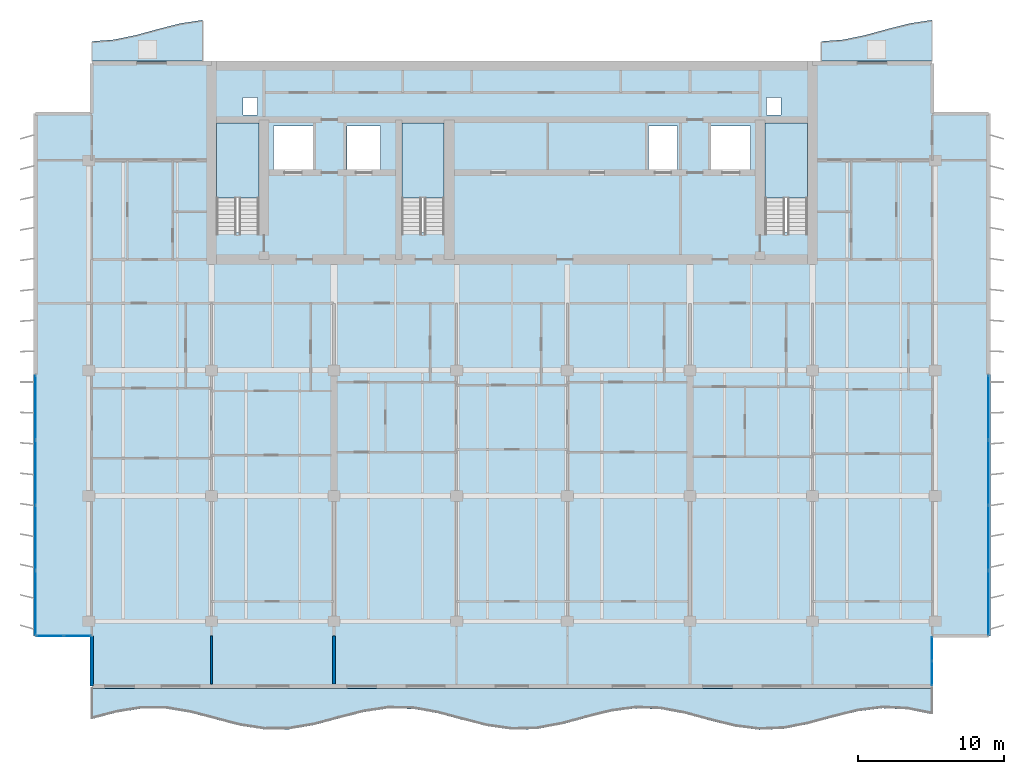
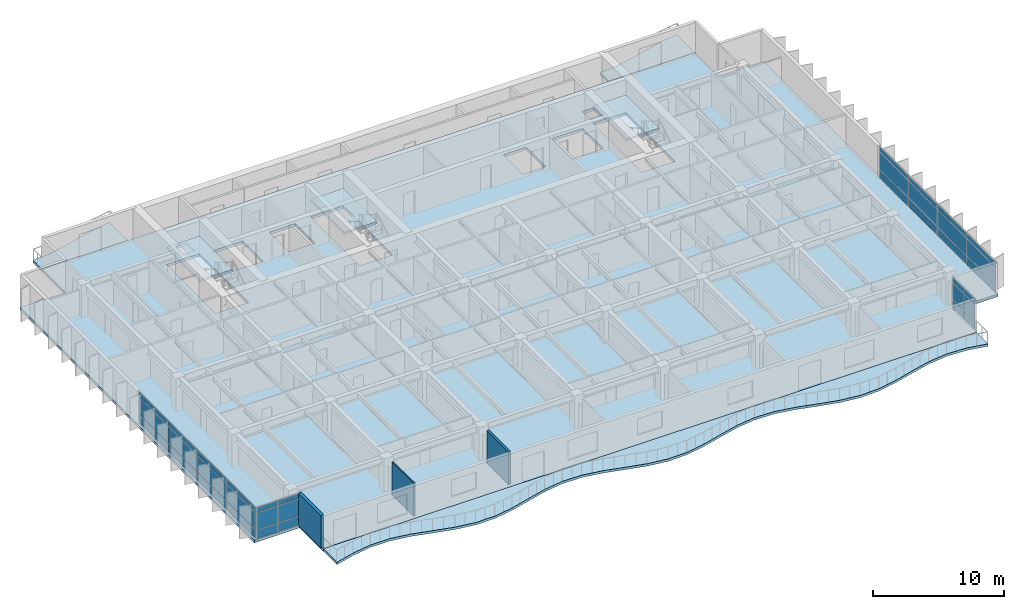
# One storey, part 7 of 17: 36 plates, 7 slabs, 3 walls, 7 elements without a shape of their own.
"""IFC4 building model written with IfcOpenShell, lengths in metres."""

from ifc_helpers import new_model, si_unit, direction, frame, frame_2d, origin, origin_2d, place, context, subcontext, project, spatial, polyline, rectangle, outline, extrude, material, layer, layer_set, type_object, element, aggregate, save


model = new_model("IFC4")

# Units and contexts
model_context = context("Model", 3, precision=1e-05, world=origin(), true_north=direction((0.0, 1.0)))
body_context = subcontext(model_context, "Body", "Model", "MODEL_VIEW")
ifc_project = project(units=[si_unit("LENGTHUNIT", "METRE"), si_unit("AREAUNIT", "SQUARE_METRE"), si_unit("VOLUMEUNIT", "CUBIC_METRE"), si_unit("PLANEANGLEUNIT", "RADIAN"), si_unit("MASSUNIT", "GRAM", prefix="KILO")], contexts=[model_context])

# Site, building, storey
site_placement = place(None, origin())
site = spatial("IfcSite", under=ifc_project, at=site_placement, CompositionType="ELEMENT")
building_placement = place(site_placement, origin())
building = spatial("IfcBuilding", under=site, at=building_placement, Name="Caelmar Bay Residences", CompositionType="ELEMENT")
storey_placement = place(building_placement, frame((0.0, 0.0, 208.199951171875)))
storey = spatial("IfcBuildingStorey", under=building, at=storey_placement, Name="L58", CompositionType="ELEMENT", Elevation=208.199951171875)

# Curtain wall, plates
ifc_material_1 = material(Name="Anodised bronze aluminium 6063-T6 and laminated glass", Category="aluminium")
ifc_layer_1 = layer(ifc_material_1, 0.179931640625)
ifc_layer_set_1 = layer_set([ifc_layer_1], Name="Anodised bronze aluminium 6063-T6 and laminated glass")
curtain_wall_type_1 = type_object("IfcCurtainWallType", Name="CW6-NTC", PredefinedType="NOTDEFINED", material=ifc_layer_set_1)
curtain_wall_1_placement = place(storey_placement, origin())
curtain_wall_1 = element("IfcCurtainWall", 1, at=curtain_wall_1_placement, inside=storey, type_object=curtain_wall_type_1, Name="CW6 curtain wall L58", PredefinedType="NOTDEFINED")
ifc_material_2 = material(Name="Bronze-tinted laminated low-E hurricane glass 28 mm", Category="glass")
ifc_layer_2 = layer(ifc_material_2, 0.028076171875)
ifc_layer_set_2 = layer_set([ifc_layer_2], Name="Bronze-tinted laminated low-E hurricane glass 28 mm")
plate_type = type_object("IfcPlateType", Name="CWP-GLZ28", PredefinedType="CURTAIN_PANEL", material=ifc_layer_set_2)
plate_1_placement = place(storey_placement, frame((7.232421875, 11.199951171875, 0.080078125), z_axis=(0.0, 0.0, 1.0), x_axis=(1.0, 0.0, 0.0)))
plate_1 = element("IfcPlate", 2, at=plate_1_placement, type_object=plate_type, Name="CW6 panel 1.1", PredefinedType="CURTAIN_PANEL", context=body_context, shape_type="SweptSolid", body=[
    extrude(rectangle(XDim=1.804931640625, YDim=0.028076171875, at=origin_2d()), origin(), (0.0, 0.0, 1.0), 0.780029296875),
])
plate_2_placement = place(storey_placement, frame((7.232421875, 11.199951171875, 0.93994140625), z_axis=(0.0, 0.0, 1.0), x_axis=(1.0, 0.0, 0.0)))
plate_2 = element("IfcPlate", 3, at=plate_2_placement, type_object=plate_type, Name="CW6 panel 1.2", PredefinedType="CURTAIN_PANEL", context=body_context, shape_type="SweptSolid", body=[
    extrude(rectangle(XDim=1.804931640625, YDim=0.028076171875, at=origin_2d()), origin(), (0.0, 0.0, 1.0), 1.52001953125),
])
plate_3_placement = place(storey_placement, frame((7.232421875, 11.199951171875, 2.5400390625), z_axis=(0.0, 0.0, 1.0), x_axis=(1.0, 0.0, 0.0)))
plate_3 = element("IfcPlate", 4, at=plate_3_placement, type_object=plate_type, Name="CW6 panel 1.3", PredefinedType="CURTAIN_PANEL", context=body_context, shape_type="SweptSolid", body=[
    extrude(rectangle(XDim=1.804931640625, YDim=0.028076171875, at=origin_2d()), origin(), (0.0, 0.0, 1.0), 0.429931640625),
])
plate_4_placement = place(storey_placement, frame((9.117431640625, 11.199951171875, 0.080078125), z_axis=(0.0, 0.0, 1.0), x_axis=(1.0, 0.0, 0.0)))
plate_4 = element("IfcPlate", 5, at=plate_4_placement, type_object=plate_type, Name="CW6 panel 2.1", PredefinedType="CURTAIN_PANEL", context=body_context, shape_type="SweptSolid", body=[
    extrude(rectangle(XDim=1.804931640625, YDim=0.028076171875, at=origin_2d()), origin(), (0.0, 0.0, 1.0), 0.780029296875),
])
plate_5_placement = place(storey_placement, frame((9.117431640625, 11.199951171875, 0.93994140625), z_axis=(0.0, 0.0, 1.0), x_axis=(1.0, 0.0, 0.0)))
plate_5 = element("IfcPlate", 6, at=plate_5_placement, type_object=plate_type, Name="CW6 panel 2.2", PredefinedType="CURTAIN_PANEL", context=body_context, shape_type="SweptSolid", body=[
    extrude(rectangle(XDim=1.804931640625, YDim=0.028076171875, at=origin_2d()), origin(), (0.0, 0.0, 1.0), 1.52001953125),
])
plate_6_placement = place(storey_placement, frame((9.117431640625, 11.199951171875, 2.5400390625), z_axis=(0.0, 0.0, 1.0), x_axis=(1.0, 0.0, 0.0)))
plate_6 = element("IfcPlate", 7, at=plate_6_placement, type_object=plate_type, Name="CW6 panel 2.3", PredefinedType="CURTAIN_PANEL", context=body_context, shape_type="SweptSolid", body=[
    extrude(rectangle(XDim=1.804931640625, YDim=0.028076171875, at=origin_2d()), origin(), (0.0, 0.0, 1.0), 0.429931640625),
])
aggregate(curtain_wall_1, [plate_1, plate_2, plate_3, plate_4, plate_5, plate_6])

curtain_wall_2_placement = place(storey_placement, origin())
curtain_wall_2 = element("IfcCurtainWall", 8, at=curtain_wall_2_placement, inside=storey, type_object=curtain_wall_type_1, Name="CW6 curtain wall L58", PredefinedType="NOTDEFINED")
plate_7_placement = place(storey_placement, frame((67.699951171875, 8.632568359375, 0.080078125), z_axis=(0.0, 0.0, 1.0), x_axis=(0.0, 1.0, 0.0)))
plate_7 = element("IfcPlate", 9, at=plate_7_placement, type_object=plate_type, Name="CW6 panel 1.1", PredefinedType="CURTAIN_PANEL", context=body_context, shape_type="SweptSolid", body=[
    extrude(rectangle(XDim=1.60498046875, YDim=0.028076171875, at=origin_2d()), origin(), (0.0, 0.0, 1.0), 0.780029296875),
])
plate_8_placement = place(storey_placement, frame((67.699951171875, 8.632568359375, 0.93994140625), z_axis=(0.0, 0.0, 1.0), x_axis=(0.0, 1.0, 0.0)))
plate_8 = element("IfcPlate", 10, at=plate_8_placement, type_object=plate_type, Name="CW6 panel 1.2", PredefinedType="CURTAIN_PANEL", context=body_context, shape_type="SweptSolid", body=[
    extrude(rectangle(XDim=1.60498046875, YDim=0.028076171875, at=origin_2d()), origin(), (0.0, 0.0, 1.0), 1.52001953125),
])
plate_9_placement = place(storey_placement, frame((67.699951171875, 8.632568359375, 2.5400390625), z_axis=(0.0, 0.0, 1.0), x_axis=(0.0, 1.0, 0.0)))
plate_9 = element("IfcPlate", 11, at=plate_9_placement, type_object=plate_type, Name="CW6 panel 1.3", PredefinedType="CURTAIN_PANEL", context=body_context, shape_type="SweptSolid", body=[
    extrude(rectangle(XDim=1.60498046875, YDim=0.028076171875, at=origin_2d()), origin(), (0.0, 0.0, 1.0), 0.429931640625),
])
plate_10_placement = place(storey_placement, frame((67.699951171875, 10.3173828125, 0.080078125), z_axis=(0.0, 0.0, 1.0), x_axis=(0.0, 1.0, 0.0)))
plate_10 = element("IfcPlate", 12, at=plate_10_placement, type_object=plate_type, Name="CW6 panel 2.1", PredefinedType="CURTAIN_PANEL", context=body_context, shape_type="SweptSolid", body=[
    extrude(rectangle(XDim=1.60498046875, YDim=0.028076171875, at=origin_2d()), origin(), (0.0, 0.0, 1.0), 0.780029296875),
])
plate_11_placement = place(storey_placement, frame((67.699951171875, 10.3173828125, 0.93994140625), z_axis=(0.0, 0.0, 1.0), x_axis=(0.0, 1.0, 0.0)))
plate_11 = element("IfcPlate", 13, at=plate_11_placement, type_object=plate_type, Name="CW6 panel 2.2", PredefinedType="CURTAIN_PANEL", context=body_context, shape_type="SweptSolid", body=[
    extrude(rectangle(XDim=1.60498046875, YDim=0.028076171875, at=origin_2d()), origin(), (0.0, 0.0, 1.0), 1.52001953125),
])
plate_12_placement = place(storey_placement, frame((67.699951171875, 10.3173828125, 2.5400390625), z_axis=(0.0, 0.0, 1.0), x_axis=(0.0, 1.0, 0.0)))
plate_12 = element("IfcPlate", 14, at=plate_12_placement, type_object=plate_type, Name="CW6 panel 2.3", PredefinedType="CURTAIN_PANEL", context=body_context, shape_type="SweptSolid", body=[
    extrude(rectangle(XDim=1.60498046875, YDim=0.028076171875, at=origin_2d()), origin(), (0.0, 0.0, 1.0), 0.429931640625),
])
aggregate(curtain_wall_2, [plate_7, plate_8, plate_9, plate_10, plate_11, plate_12])

ifc_layer_3 = layer(ifc_material_1, 0.179931640625)
ifc_layer_set_3 = layer_set([ifc_layer_3], Name="Anodised bronze aluminium 6063-T6 and laminated glass")
curtain_wall_type_2 = type_object("IfcCurtainWallType", Name="CW4-Z3", PredefinedType="NOTDEFINED", material=ifc_layer_set_3)
curtain_wall_3_placement = place(storey_placement, origin())
curtain_wall_3 = element("IfcCurtainWall", 15, at=curtain_wall_3_placement, inside=storey, type_object=curtain_wall_type_2, Name="CW4 curtain wall L58", PredefinedType="NOTDEFINED")
plate_13_placement = place(storey_placement, frame((6.25, 13.45751953125, 0.080078125), z_axis=(0.0, 0.0, 1.0), x_axis=(0.0, 1.0, 0.0)))
plate_13 = element("IfcPlate", 16, at=plate_13_placement, type_object=plate_type, Name="CW4 panel 1.1", PredefinedType="CURTAIN_PANEL", context=body_context, shape_type="SweptSolid", body=[
    extrude(rectangle(XDim=4.35498046875, YDim=0.028076171875, at=origin_2d()), origin(), (0.0, 0.0, 1.0), 0.780029296875),
])
plate_14_placement = place(storey_placement, frame((6.25, 13.45751953125, 0.93994140625), z_axis=(0.0, 0.0, 1.0), x_axis=(0.0, 1.0, 0.0)))
plate_14 = element("IfcPlate", 17, at=plate_14_placement, type_object=plate_type, Name="CW4 panel 1.2", PredefinedType="CURTAIN_PANEL", context=body_context, shape_type="SweptSolid", body=[
    extrude(rectangle(XDim=4.35498046875, YDim=0.028076171875, at=origin_2d()), origin(), (0.0, 0.0, 1.0), 1.52001953125),
])
plate_15_placement = place(storey_placement, frame((6.25, 13.45751953125, 2.5400390625), z_axis=(0.0, 0.0, 1.0), x_axis=(0.0, 1.0, 0.0)))
plate_15 = element("IfcPlate", 18, at=plate_15_placement, type_object=plate_type, Name="CW4 panel 1.3", PredefinedType="CURTAIN_PANEL", context=body_context, shape_type="SweptSolid", body=[
    extrude(rectangle(XDim=4.35498046875, YDim=0.028076171875, at=origin_2d()), origin(), (0.0, 0.0, 1.0), 0.429931640625),
])
plate_16_placement = place(storey_placement, frame((6.25, 17.91259765625, 0.080078125), z_axis=(0.0, 0.0, 1.0), x_axis=(0.0, 1.0, 0.0)))
plate_16 = element("IfcPlate", 19, at=plate_16_placement, type_object=plate_type, Name="CW4 panel 2.1", PredefinedType="CURTAIN_PANEL", context=body_context, shape_type="SweptSolid", body=[
    extrude(rectangle(XDim=4.39501953125, YDim=0.028076171875, at=origin_2d()), origin(), (0.0, 0.0, 1.0), 0.780029296875),
])
plate_17_placement = place(storey_placement, frame((6.25, 17.91259765625, 0.93994140625), z_axis=(0.0, 0.0, 1.0), x_axis=(0.0, 1.0, 0.0)))
plate_17 = element("IfcPlate", 20, at=plate_17_placement, type_object=plate_type, Name="CW4 panel 2.2", PredefinedType="CURTAIN_PANEL", context=body_context, shape_type="SweptSolid", body=[
    extrude(rectangle(XDim=4.39501953125, YDim=0.028076171875, at=origin_2d()), origin(), (0.0, 0.0, 1.0), 1.52001953125),
])
plate_18_placement = place(storey_placement, frame((6.25, 17.91259765625, 2.5400390625), z_axis=(0.0, 0.0, 1.0), x_axis=(0.0, 1.0, 0.0)))
plate_18 = element("IfcPlate", 21, at=plate_18_placement, type_object=plate_type, Name="CW4 panel 2.3", PredefinedType="CURTAIN_PANEL", context=body_context, shape_type="SweptSolid", body=[
    extrude(rectangle(XDim=4.39501953125, YDim=0.028076171875, at=origin_2d()), origin(), (0.0, 0.0, 1.0), 0.429931640625),
])
plate_19_placement = place(storey_placement, frame((6.25, 22.387451171875, 0.080078125), z_axis=(0.0, 0.0, 1.0), x_axis=(0.0, 1.0, 0.0)))
plate_19 = element("IfcPlate", 22, at=plate_19_placement, type_object=plate_type, Name="CW4 panel 3.1", PredefinedType="CURTAIN_PANEL", context=body_context, shape_type="SweptSolid", body=[
    extrude(rectangle(XDim=4.39501953125, YDim=0.028076171875, at=origin_2d()), origin(), (0.0, 0.0, 1.0), 0.780029296875),
])
plate_20_placement = place(storey_placement, frame((6.25, 22.387451171875, 0.93994140625), z_axis=(0.0, 0.0, 1.0), x_axis=(0.0, 1.0, 0.0)))
plate_20 = element("IfcPlate", 23, at=plate_20_placement, type_object=plate_type, Name="CW4 panel 3.2", PredefinedType="CURTAIN_PANEL", context=body_context, shape_type="SweptSolid", body=[
    extrude(rectangle(XDim=4.39501953125, YDim=0.028076171875, at=origin_2d()), origin(), (0.0, 0.0, 1.0), 1.52001953125),
])
plate_21_placement = place(storey_placement, frame((6.25, 22.387451171875, 2.5400390625), z_axis=(0.0, 0.0, 1.0), x_axis=(0.0, 1.0, 0.0)))
plate_21 = element("IfcPlate", 24, at=plate_21_placement, type_object=plate_type, Name="CW4 panel 3.3", PredefinedType="CURTAIN_PANEL", context=body_context, shape_type="SweptSolid", body=[
    extrude(rectangle(XDim=4.39501953125, YDim=0.028076171875, at=origin_2d()), origin(), (0.0, 0.0, 1.0), 0.429931640625),
])
plate_22_placement = place(storey_placement, frame((6.25, 26.842529296875, 0.080078125), z_axis=(0.0, 0.0, 1.0), x_axis=(0.0, 1.0, 0.0)))
plate_22 = element("IfcPlate", 25, at=plate_22_placement, type_object=plate_type, Name="CW4 panel 4.1", PredefinedType="CURTAIN_PANEL", context=body_context, shape_type="SweptSolid", body=[
    extrude(rectangle(XDim=4.35498046875, YDim=0.028076171875, at=origin_2d()), origin(), (0.0, 0.0, 1.0), 0.780029296875),
])
plate_23_placement = place(storey_placement, frame((6.25, 26.842529296875, 0.93994140625), z_axis=(0.0, 0.0, 1.0), x_axis=(0.0, 1.0, 0.0)))
plate_23 = element("IfcPlate", 26, at=plate_23_placement, type_object=plate_type, Name="CW4 panel 4.2", PredefinedType="CURTAIN_PANEL", context=body_context, shape_type="SweptSolid", body=[
    extrude(rectangle(XDim=4.35498046875, YDim=0.028076171875, at=origin_2d()), origin(), (0.0, 0.0, 1.0), 1.52001953125),
])
plate_24_placement = place(storey_placement, frame((6.25, 26.842529296875, 2.5400390625), z_axis=(0.0, 0.0, 1.0), x_axis=(0.0, 1.0, 0.0)))
plate_24 = element("IfcPlate", 27, at=plate_24_placement, type_object=plate_type, Name="CW4 panel 4.3", PredefinedType="CURTAIN_PANEL", context=body_context, shape_type="SweptSolid", body=[
    extrude(rectangle(XDim=4.35498046875, YDim=0.028076171875, at=origin_2d()), origin(), (0.0, 0.0, 1.0), 0.429931640625),
])
aggregate(curtain_wall_3, [plate_13, plate_14, plate_15, plate_16, plate_17, plate_18, plate_19, plate_20, plate_21, plate_22, plate_23, plate_24])

curtain_wall_4_placement = place(storey_placement, origin())
curtain_wall_4 = element("IfcCurtainWall", 28, at=curtain_wall_4_placement, inside=storey, type_object=curtain_wall_type_2, Name="CW4 curtain wall L58", PredefinedType="NOTDEFINED")
plate_25_placement = place(storey_placement, frame((71.550048828125, 26.842529296875, 0.080078125), z_axis=(0.0, 0.0, 1.0), x_axis=(0.0, -1.0, 0.0)))
plate_25 = element("IfcPlate", 29, at=plate_25_placement, type_object=plate_type, Name="CW4 panel 1.1", PredefinedType="CURTAIN_PANEL", context=body_context, shape_type="SweptSolid", body=[
    extrude(rectangle(XDim=4.35498046875, YDim=0.028076171875, at=origin_2d()), origin(), (0.0, 0.0, 1.0), 0.780029296875),
])
plate_26_placement = place(storey_placement, frame((71.550048828125, 26.842529296875, 0.93994140625), z_axis=(0.0, 0.0, 1.0), x_axis=(0.0, -1.0, 0.0)))
plate_26 = element("IfcPlate", 30, at=plate_26_placement, type_object=plate_type, Name="CW4 panel 1.2", PredefinedType="CURTAIN_PANEL", context=body_context, shape_type="SweptSolid", body=[
    extrude(rectangle(XDim=4.35498046875, YDim=0.028076171875, at=origin_2d()), origin(), (0.0, 0.0, 1.0), 1.52001953125),
])
plate_27_placement = place(storey_placement, frame((71.550048828125, 26.842529296875, 2.5400390625), z_axis=(0.0, 0.0, 1.0), x_axis=(0.0, -1.0, 0.0)))
plate_27 = element("IfcPlate", 31, at=plate_27_placement, type_object=plate_type, Name="CW4 panel 1.3", PredefinedType="CURTAIN_PANEL", context=body_context, shape_type="SweptSolid", body=[
    extrude(rectangle(XDim=4.35498046875, YDim=0.028076171875, at=origin_2d()), origin(), (0.0, 0.0, 1.0), 0.429931640625),
])
plate_28_placement = place(storey_placement, frame((71.550048828125, 22.387451171875, 0.080078125), z_axis=(0.0, 0.0, 1.0), x_axis=(0.0, -1.0, 0.0)))
plate_28 = element("IfcPlate", 32, at=plate_28_placement, type_object=plate_type, Name="CW4 panel 2.1", PredefinedType="CURTAIN_PANEL", context=body_context, shape_type="SweptSolid", body=[
    extrude(rectangle(XDim=4.39501953125, YDim=0.028076171875, at=origin_2d()), origin(), (0.0, 0.0, 1.0), 0.780029296875),
])
plate_29_placement = place(storey_placement, frame((71.550048828125, 22.387451171875, 0.93994140625), z_axis=(0.0, 0.0, 1.0), x_axis=(0.0, -1.0, 0.0)))
plate_29 = element("IfcPlate", 33, at=plate_29_placement, type_object=plate_type, Name="CW4 panel 2.2", PredefinedType="CURTAIN_PANEL", context=body_context, shape_type="SweptSolid", body=[
    extrude(rectangle(XDim=4.39501953125, YDim=0.028076171875, at=origin_2d()), origin(), (0.0, 0.0, 1.0), 1.52001953125),
])
plate_30_placement = place(storey_placement, frame((71.550048828125, 22.387451171875, 2.5400390625), z_axis=(0.0, 0.0, 1.0), x_axis=(0.0, -1.0, 0.0)))
plate_30 = element("IfcPlate", 34, at=plate_30_placement, type_object=plate_type, Name="CW4 panel 2.3", PredefinedType="CURTAIN_PANEL", context=body_context, shape_type="SweptSolid", body=[
    extrude(rectangle(XDim=4.39501953125, YDim=0.028076171875, at=origin_2d()), origin(), (0.0, 0.0, 1.0), 0.429931640625),
])
plate_31_placement = place(storey_placement, frame((71.550048828125, 17.91259765625, 0.080078125), z_axis=(0.0, 0.0, 1.0), x_axis=(0.0, -1.0, 0.0)))
plate_31 = element("IfcPlate", 35, at=plate_31_placement, type_object=plate_type, Name="CW4 panel 3.1", PredefinedType="CURTAIN_PANEL", context=body_context, shape_type="SweptSolid", body=[
    extrude(rectangle(XDim=4.39501953125, YDim=0.028076171875, at=origin_2d()), origin(), (0.0, 0.0, 1.0), 0.780029296875),
])
plate_32_placement = place(storey_placement, frame((71.550048828125, 17.91259765625, 0.93994140625), z_axis=(0.0, 0.0, 1.0), x_axis=(0.0, -1.0, 0.0)))
plate_32 = element("IfcPlate", 36, at=plate_32_placement, type_object=plate_type, Name="CW4 panel 3.2", PredefinedType="CURTAIN_PANEL", context=body_context, shape_type="SweptSolid", body=[
    extrude(rectangle(XDim=4.39501953125, YDim=0.028076171875, at=origin_2d()), origin(), (0.0, 0.0, 1.0), 1.52001953125),
])
plate_33_placement = place(storey_placement, frame((71.550048828125, 17.91259765625, 2.5400390625), z_axis=(0.0, 0.0, 1.0), x_axis=(0.0, -1.0, 0.0)))
plate_33 = element("IfcPlate", 37, at=plate_33_placement, type_object=plate_type, Name="CW4 panel 3.3", PredefinedType="CURTAIN_PANEL", context=body_context, shape_type="SweptSolid", body=[
    extrude(rectangle(XDim=4.39501953125, YDim=0.028076171875, at=origin_2d()), origin(), (0.0, 0.0, 1.0), 0.429931640625),
])
plate_34_placement = place(storey_placement, frame((71.550048828125, 13.45751953125, 0.080078125), z_axis=(0.0, 0.0, 1.0), x_axis=(0.0, -1.0, 0.0)))
plate_34 = element("IfcPlate", 38, at=plate_34_placement, type_object=plate_type, Name="CW4 panel 4.1", PredefinedType="CURTAIN_PANEL", context=body_context, shape_type="SweptSolid", body=[
    extrude(rectangle(XDim=4.35498046875, YDim=0.028076171875, at=origin_2d()), origin(), (0.0, 0.0, 1.0), 0.780029296875),
])
plate_35_placement = place(storey_placement, frame((71.550048828125, 13.45751953125, 0.93994140625), z_axis=(0.0, 0.0, 1.0), x_axis=(0.0, -1.0, 0.0)))
plate_35 = element("IfcPlate", 39, at=plate_35_placement, type_object=plate_type, Name="CW4 panel 4.2", PredefinedType="CURTAIN_PANEL", context=body_context, shape_type="SweptSolid", body=[
    extrude(rectangle(XDim=4.35498046875, YDim=0.028076171875, at=origin_2d()), origin(), (0.0, 0.0, 1.0), 1.52001953125),
])
plate_36_placement = place(storey_placement, frame((71.550048828125, 13.45751953125, 2.5400390625), z_axis=(0.0, 0.0, 1.0), x_axis=(0.0, -1.0, 0.0)))
plate_36 = element("IfcPlate", 40, at=plate_36_placement, type_object=plate_type, Name="CW4 panel 4.3", PredefinedType="CURTAIN_PANEL", context=body_context, shape_type="SweptSolid", body=[
    extrude(rectangle(XDim=4.35498046875, YDim=0.028076171875, at=origin_2d()), origin(), (0.0, 0.0, 1.0), 0.429931640625),
])
aggregate(curtain_wall_4, [plate_25, plate_26, plate_27, plate_28, plate_29, plate_30, plate_31, plate_32, plate_33, plate_34, plate_35, plate_36])

# Slabs
ifc_material_3 = material(Name="Concrete f'c 40 MPa (6,000 psi)", Category="concrete")
ifc_layer_4 = layer(ifc_material_3, 0.219970703125)
ifc_layer_set_4 = layer_set([ifc_layer_4], Name="Concrete f'c 40 MPa (6,000 psi)")
slab_type_1 = type_object("IfcSlabType", Name="SLB-BAL-220", PredefinedType="FLOOR", material=ifc_layer_set_4)
slab_1_placement = place(storey_placement, frame((0.0, 0.0, -0.219970703125)))
element("IfcSlab", 41, at=slab_1_placement, inside=storey, type_object=slab_type_1, Name="L58 Sinusoidal Tree-Balcony Slab south", PredefinedType="FLOOR", context=body_context, shape_type="SweptSolid", body=[
    extrude(outline(polyline([(10.10009765625, 5.5), (11.794189453125, 5.944091796875), (13.48828125, 6.2158203125), (15.182373046875, 6.20947265625), (16.87646484375, 5.927978515625), (18.570556640625, 5.480224609375), (20.2646484375, 5.040283203125), (21.958740234375, 4.778564453125), (23.65283203125, 4.797119140625), (25.34716796875, 5.08837890625), (27.041259765625, 5.53955078125), (28.7353515625, 5.975341796875), (30.429443359375, 6.2265625), (32.12353515625, 6.19580078125), (33.817626953125, 5.894775390625), (35.51171875, 5.440673828125), (37.205810546875, 5.009521484375), (38.89990234375, 4.768798828125), (40.593994140625, 4.81201171875), (42.2880859375, 5.1220703125), (43.982421875, 5.5791015625), (45.676513671875, 6.00537109375), (47.37060546875, 6.2353515625), (49.064697265625, 6.179931640625), (50.7587890625, 5.860595703125), (52.452880859375, 5.4013671875), (54.147216796875, 4.980224609375), (55.84130859375, 4.760986328125), (57.535400390625, 4.82861328125), (59.2294921875, 5.156982421875), (60.923583984375, 5.618408203125), (62.61767578125, 6.03369140625), (64.311767578125, 6.2421875), (66.005859375, 6.162353515625), (67.699951171875, 5.825439453125), (67.699951171875, 7.60009765625), (10.10009765625, 7.60009765625), (10.10009765625, 5.5)])), origin(), (0.0, 0.0, 1.0), 0.219970703125),
])
slab_2_placement = place(storey_placement, frame((0.0, 0.0, -0.219970703125)))
element("IfcSlab", 42, at=slab_2_placement, inside=storey, type_object=slab_type_1, Name="L58 Sinusoidal Tree-Balcony Slab north_west", PredefinedType="FLOOR", context=body_context, shape_type="SweptSolid", body=[
    extrude(outline(polyline([(10.10009765625, 50.60009765625), (17.699951171875, 50.60009765625), (17.699951171875, 53.416748046875), (16.179931640625, 53.184814453125), (14.659912109375, 52.80078125), (13.139892578125, 52.384765625), (11.6201171875, 52.068115234375), (10.10009765625, 51.949951171875), (10.10009765625, 50.60009765625)])), origin(), (0.0, 0.0, 1.0), 0.219970703125),
])
slab_3_placement = place(storey_placement, frame((0.0, 0.0, -0.219970703125)))
element("IfcSlab", 43, at=slab_3_placement, inside=storey, type_object=slab_type_1, Name="L58 Sinusoidal Tree-Balcony Slab north_east", PredefinedType="FLOOR", context=body_context, shape_type="SweptSolid", body=[
    extrude(outline(polyline([(60.10009765625, 50.60009765625), (67.699951171875, 50.60009765625), (67.699951171875, 53.416748046875), (66.179931640625, 53.184814453125), (64.659912109375, 52.80078125), (63.139892578125, 52.384765625), (61.6201171875, 52.068115234375), (60.10009765625, 51.949951171875), (60.10009765625, 50.60009765625)])), origin(), (0.0, 0.0, 1.0), 0.219970703125),
])

# Stair, slab
stair_type = type_object("IfcStairType", Name="ST-TYP-165", PredefinedType="HALF_TURN_STAIR", material=ifc_material_3)
stair_1_placement = place(storey_placement, origin())
stair_1 = element("IfcStair", 44, at=stair_1_placement, inside=storey, type_object=stair_type, Name="L58 West Smokeproof Exit Stair ST1", PredefinedType="HALF_TURN_STAIR")
ifc_layer_5 = layer(ifc_material_3, 0.199951171875)
ifc_layer_set_5 = layer_set([ifc_layer_5], Name="Concrete f'c 40 MPa (6,000 psi)")
slab_type_2 = type_object("IfcSlabType", Name="SLB-LND-200", PredefinedType="LANDING", material=ifc_layer_set_5)
slab_4_placement = place(storey_placement, frame((0.0, 0.0, 1.449951171875)))
slab_4 = element("IfcSlab", 45, at=slab_4_placement, type_object=slab_type_2, Name="ST1 landing 1", PredefinedType="LANDING", context=body_context, shape_type="SweptSolid", body=[
    extrude(outline(polyline([(21.550048828125, 41.219970703125), (21.550048828125, 46.35009765625), (18.64990234375, 46.35009765625), (18.64990234375, 41.219970703125), (21.550048828125, 41.219970703125)])), origin(), (0.0, 0.0, 1.0), 0.2001953125),
])
aggregate(stair_1, [slab_4])

stair_2_placement = place(storey_placement, origin())
stair_2 = element("IfcStair", 46, at=stair_2_placement, inside=storey, type_object=stair_type, Name="L58 East Smokeproof Exit Stair ST2", PredefinedType="HALF_TURN_STAIR")
slab_5_placement = place(storey_placement, frame((0.0, 0.0, 1.449951171875)))
slab_5 = element("IfcSlab", 47, at=slab_5_placement, type_object=slab_type_2, Name="ST2 landing 1", PredefinedType="LANDING", context=body_context, shape_type="SweptSolid", body=[
    extrude(outline(polyline([(59.14990234375, 41.219970703125), (59.14990234375, 46.35009765625), (56.25, 46.35009765625), (56.25, 41.219970703125), (59.14990234375, 41.219970703125)])), origin(), (0.0, 0.0, 1.0), 0.2001953125),
])
aggregate(stair_2, [slab_5])

stair_3_placement = place(storey_placement, origin())
stair_3 = element("IfcStair", 48, at=stair_3_placement, inside=storey, type_object=stair_type, Name="L58 Central Smokeproof Exit Stair ST3", PredefinedType="HALF_TURN_STAIR")
slab_6_placement = place(storey_placement, frame((0.0, 0.0, 1.449951171875)))
slab_6 = element("IfcSlab", 49, at=slab_6_placement, type_object=slab_type_2, Name="ST3 landing 1", PredefinedType="LANDING", context=body_context, shape_type="SweptSolid", body=[
    extrude(outline(polyline([(34.25, 41.219970703125), (34.25, 46.35009765625), (31.35009765625, 46.35009765625), (31.35009765625, 41.219970703125), (34.25, 41.219970703125)])), origin(), (0.0, 0.0, 1.0), 0.2001953125),
])
aggregate(stair_3, [slab_6])

# Slab
ifc_layer_6 = layer(ifc_material_3, 0.25)
ifc_layer_set_6 = layer_set([ifc_layer_6], Name="Concrete f'c 40 MPa (6,000 psi)")
slab_type_3 = type_object("IfcSlabType", Name="SLB-RES-250", PredefinedType="FLOOR", material=ifc_layer_set_6)
slab_7_placement = place(storey_placement, frame((0.0, 0.0, -0.25)))
element("IfcSlab", 50, at=slab_7_placement, inside=storey, type_object=slab_type_3, Name="L58 Structural Floor Slab", PredefinedType="FLOOR", context=body_context, shape_type="SweptSolid", body=[
    extrude(outline(polyline([(10.10009765625, 7.60009765625), (67.699951171875, 7.60009765625), (67.699951171875, 11.199951171875), (71.699951171875, 11.199951171875), (71.699951171875, 47.0), (67.699951171875, 47.0), (67.699951171875, 50.60009765625), (10.10009765625, 50.60009765625), (10.10009765625, 47.0), (6.10009765625, 47.0), (6.10009765625, 11.199951171875), (10.10009765625, 11.199951171875), (10.10009765625, 7.60009765625)]), holes=[polyline([(18.64990234375, 38.85009765625), (21.550048828125, 38.85009765625), (21.550048828125, 46.35009765625), (18.64990234375, 46.35009765625), (18.64990234375, 38.85009765625)]), polyline([(56.25, 38.85009765625), (59.14990234375, 38.85009765625), (59.14990234375, 46.35009765625), (56.25, 46.35009765625), (56.25, 38.85009765625)]), polyline([(31.35009765625, 38.85009765625), (34.25, 38.85009765625), (34.25, 46.35009765625), (31.35009765625, 46.35009765625), (31.35009765625, 38.85009765625)]), polyline([(22.550048828125, 43.050048828125), (25.25, 43.050048828125), (25.25, 46.14990234375), (22.550048828125, 46.14990234375), (22.550048828125, 43.050048828125)]), polyline([(52.550048828125, 43.050048828125), (55.25, 43.050048828125), (55.25, 46.14990234375), (52.550048828125, 46.14990234375), (52.550048828125, 43.050048828125)]), polyline([(48.25, 43.14990234375), (50.25, 43.14990234375), (50.25, 46.14990234375), (48.25, 46.14990234375), (48.25, 43.14990234375)]), polyline([(27.60009765625, 43.14990234375), (29.89990234375, 43.14990234375), (29.89990234375, 46.14990234375), (27.60009765625, 46.14990234375), (27.60009765625, 43.14990234375)]), polyline([(20.449951171875, 46.89990234375), (21.449951171875, 46.89990234375), (21.449951171875, 48.10009765625), (20.449951171875, 48.10009765625), (20.449951171875, 46.89990234375)]), polyline([(56.35009765625, 46.89990234375), (57.35009765625, 46.89990234375), (57.35009765625, 48.10009765625), (56.35009765625, 48.10009765625), (56.35009765625, 46.89990234375)])]), origin(), (0.0, 0.0, 1.0), 0.25),
])

# Walls
ifc_material_4 = material(Name="Precast concrete f'c 40 MPa (6,000 psi)", Category="concrete")
ifc_layer_7 = layer(ifc_material_4, 0.25)
ifc_layer_set_7 = layer_set([ifc_layer_7], Name="Precast concrete f'c 40 MPa (6,000 psi)")
wall_type_1 = type_object("IfcWallType", Name="W-EXT-250", PredefinedType="ELEMENTEDWALL", material=ifc_layer_set_7)
wall_1_placement = place(storey_placement, frame((10.10009765625, 11.199951171875, 0.0), z_axis=(0.0, 0.0, 1.0), x_axis=(0.0, -1.0, 0.0)))
element("IfcWall", 51, at=wall_1_placement, inside=storey, type_object=wall_type_1, Name="L58 SW Notch Return Wall", PredefinedType="ELEMENTEDWALL", context=body_context, shape_type="SweptSolid", body=[
    extrude(rectangle(XDim=3.449951171875, YDim=0.25, at=frame_2d((1.72509765625, 0.0))), origin(), (0.0, 0.0, 1.0), 3.050048828125),
])
ifc_material_5 = material(Name="Acoustic metal-stud gypsum partition 120 mm")
ifc_layer_8 = layer(ifc_material_5, 0.1201171875)
ifc_layer_set_8 = layer_set([ifc_layer_8], Name="Acoustic metal-stud gypsum partition 120 mm")
wall_type_2 = type_object("IfcWallType", Name="W-PRT-120", PredefinedType="PARTITIONING", material=ifc_layer_set_8)
wall_2_placement = place(storey_placement, frame((18.300048828125, 7.89501953125, 0.0), z_axis=(0.0, 0.0, 1.0), x_axis=(0.0, 1.0, 0.0)))
element("IfcWall", 52, at=wall_2_placement, inside=storey, type_object=wall_type_2, Name="L58 Partition Wall V008", PredefinedType="PARTITIONING", context=body_context, shape_type="SweptSolid", body=[
    extrude(rectangle(XDim=3.304931640625, YDim=0.1201171875, at=frame_2d((1.65234375, 0.0))), origin(), (0.0, 0.0, 1.0), 3.050048828125),
])
ifc_material_6 = material(Name="Acoustic twin-stud fire-rated inter-tenancy partition 200 mm")
ifc_layer_9 = layer(ifc_material_6, 0.199951171875)
ifc_layer_set_9 = layer_set([ifc_layer_9], Name="Acoustic twin-stud fire-rated inter-tenancy partition 200 mm")
wall_type_3 = type_object("IfcWallType", Name="W-PTY-200", PredefinedType="PARTITIONING", material=ifc_layer_set_9)
wall_3_placement = place(storey_placement, frame((26.699951171875, 7.89501953125, 0.0), z_axis=(0.0, 0.0, 1.0), x_axis=(0.0, 1.0, 0.0)))
element("IfcWall", 53, at=wall_3_placement, inside=storey, type_object=wall_type_3, Name="L58 Partition Wall V014", PredefinedType="PARTITIONING", context=body_context, shape_type="SweptSolid", body=[
    extrude(rectangle(XDim=3.304931640625, YDim=0.199951171875, at=frame_2d((1.65234375, 0.0))), origin(), (0.0, 0.0, 1.0), 3.050048828125),
])

save(model, "model.ifc")
